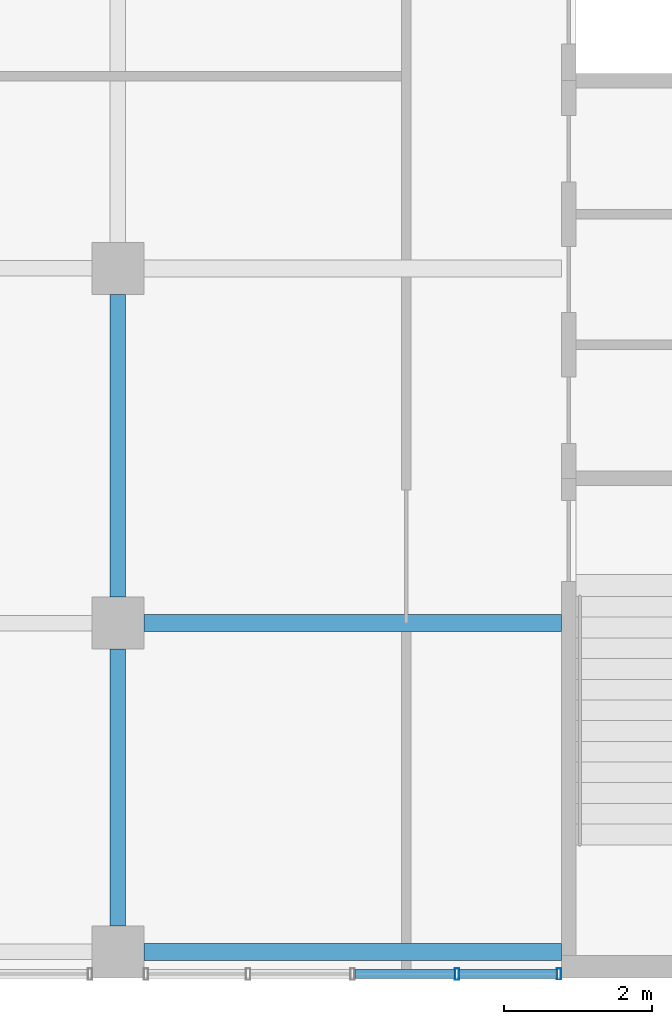
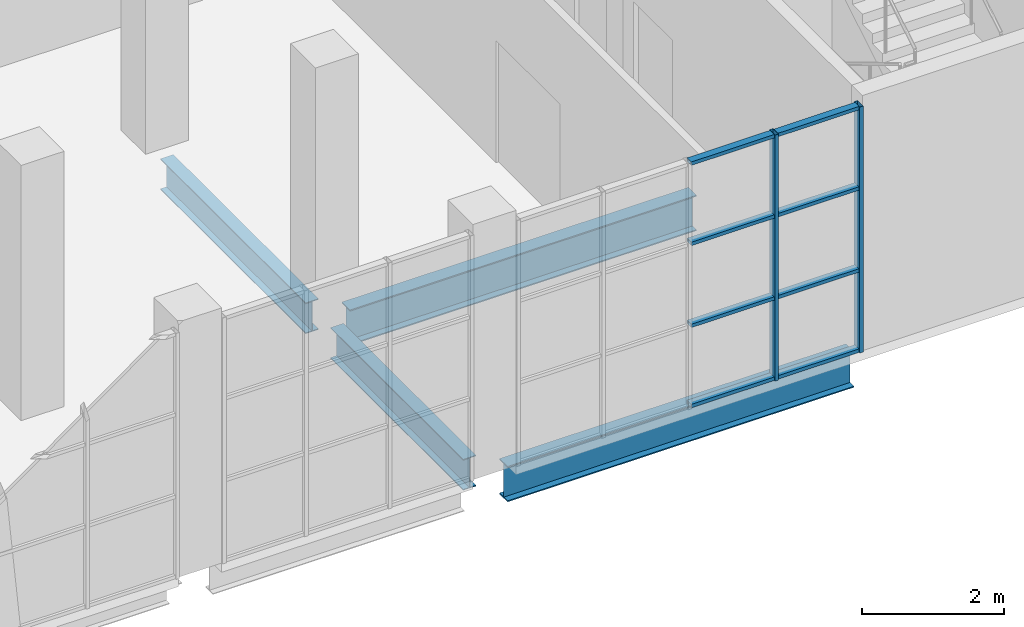
# One storey, part 4 of 30: 10 members, 4 beams, 1 element without a shape of its own.
"""IFC4 building model written with IfcOpenShell, lengths in metres."""

from ifc_helpers import new_model, si_unit, direction, frame, origin, origin_2d, place, context, subcontext, project, spatial, hollow_rectangle, i_section, extrude, material, layer, layer_set, material_profile, profile_set, type_object, element, aggregate, save


model = new_model("IFC4")

# Units and contexts
model_context = context("Model", 3, precision=1e-05, world=origin(), true_north=direction((0.0, 1.0)))
body_context = subcontext(model_context, "Body", "Model", "MODEL_VIEW")
ifc_project = project(units=[si_unit("LENGTHUNIT", "METRE"), si_unit("AREAUNIT", "SQUARE_METRE"), si_unit("VOLUMEUNIT", "CUBIC_METRE"), si_unit("PLANEANGLEUNIT", "RADIAN"), si_unit("MASSUNIT", "GRAM", prefix="KILO")], contexts=[model_context])

# Site, building, storey
site_placement = place(None, origin())
site = spatial("IfcSite", under=ifc_project, at=site_placement, CompositionType="ELEMENT")
building_placement = place(site_placement, origin())
building = spatial("IfcBuilding", under=site, at=building_placement, Name="Baori Bourse Tower", CompositionType="ELEMENT")
storey_placement = place(building_placement, frame((0.0, 0.0, 17.0)))
storey = spatial("IfcBuildingStorey", under=building, at=storey_placement, Name="L02", CompositionType="ELEMENT", Elevation=17.0)

# Beams
ifc_material_1 = material(Name="Steel A992 Gr 50", Category="steel")
ifc_material_profile_1 = material_profile(ifc_material_1, i_section(OverallWidth=0.209228515625, OverallDepth=0.533447265625, WebThickness=0.01025390625, FlangeThickness=0.015625, at=origin_2d()), Name="W21x62")
ifc_profile_set_1 = profile_set([ifc_material_profile_1], Name="Steel A992 Gr 50")
beam_type_1 = type_object("IfcBeamType", Name="Wing beam W21x62", PredefinedType="BEAM", material=ifc_profile_set_1)
beam_1_placement = place(storey_placement, frame((-9.60009765625, -24.5, -0.4267578125), z_axis=(0.0, 1.0, 0.0), x_axis=(-1.0, 0.0, 0.0)))
element("IfcBeam", 1, at=beam_1_placement, inside=storey, type_object=beam_type_1, Name="wing/L02/Wbeamy/006", PredefinedType="BEAM", context=body_context, shape_type="SweptSolid", body=[
    extrude(i_section(OverallWidth=0.209228515625, OverallDepth=0.533447265625, WebThickness=0.01025390625, FlangeThickness=0.015625, at=origin_2d()), origin(), (0.0, 0.0, 1.0), 3.75),
])
beam_2_placement = place(storey_placement, frame((-9.60009765625, -20.050048828125, -0.4267578125), z_axis=(0.0, 1.0, 0.0), x_axis=(-1.0, 0.0, 0.0)))
element("IfcBeam", 2, at=beam_2_placement, inside=storey, type_object=beam_type_1, Name="wing/L02/Wbeamy/007", PredefinedType="BEAM", context=body_context, shape_type="SweptSolid", body=[
    extrude(i_section(OverallWidth=0.209228515625, OverallDepth=0.533447265625, WebThickness=0.01025390625, FlangeThickness=0.015625, at=origin_2d()), origin(), (0.0, 0.0, 1.0), 4.10009765625),
])
ifc_material_2 = material(Name="Steel A992 Gr 50", Category="steel")
ifc_material_profile_2 = material_profile(ifc_material_2, i_section(OverallWidth=0.22900390625, OverallDepth=0.612060546875, WebThickness=0.011962890625, FlangeThickness=0.01953125, at=origin_2d()), Name="W24x84")
ifc_profile_set_2 = profile_set([ifc_material_profile_2], Name="Steel A992 Gr 50")
beam_type_2 = type_object("IfcBeamType", Name="Wing beam W24x84", PredefinedType="BEAM", material=ifc_profile_set_2)
for number, where, z_axis, x_axis, name in (
    (3, (-9.25, -24.85009765625, -0.466064453125), (1.0, 0.0, 0.0), (0.0, 1.0, 0.0), "wing/L02/Wbeam/003"),
    (4, (-9.25, -20.39990234375, -0.466064453125), (1.0, 0.0, 0.0), (0.0, 1.0, 0.0), "wing/L02/Wbeam/006"),
):
    element("IfcBeam", number, at=place(storey_placement, frame(where, z_axis=z_axis, x_axis=x_axis)), inside=storey, type_object=beam_type_2, Name=name, PredefinedType="BEAM", context=body_context, shape_type="SweptSolid", body=[
        extrude(i_section(OverallWidth=0.22900390625, OverallDepth=0.612060546875, WebThickness=0.011962890625, FlangeThickness=0.01953125, at=origin_2d()), origin(), (0.0, 0.0, 1.0), 5.64990234375),
    ])

# Curtain wall, members
ifc_material_3 = material(Name="Pale anodised aluminium", Category="aluminium")
ifc_layer = layer(ifc_material_3, 0.10009765625)
ifc_layer_set = layer_set([ifc_layer], Name="Wing curtain wall")
curtain_wall_type = type_object("IfcCurtainWallType", Name="Wing curtain wall", PredefinedType="NOTDEFINED", material=ifc_layer_set)
curtain_wall_placement = place(storey_placement, origin())
curtain_wall = element("IfcCurtainWall", 5, at=curtain_wall_placement, inside=storey, type_object=curtain_wall_type, Name="wing/L02/Wcw/003", PredefinedType="NOTDEFINED")
ifc_material_4 = material(Name="Pale anodised aluminium", Category="aluminium")
ifc_material_profile_3 = material_profile(ifc_material_4, hollow_rectangle(XDim=0.159912109375, YDim=0.06005859375, WallThickness=0.0048828125, at=origin_2d()), Name="Mullion 160x60x5")
ifc_profile_set_3 = profile_set([ifc_material_profile_3], Name="Pale anodised aluminium")
member_type_1 = type_object("IfcMemberType", Name="Wing mullion 60x160", PredefinedType="MULLION", material=ifc_profile_set_3)
member_1_placement = place(storey_placement, frame((-5.012451171875, -25.14990234375, 0.0), z_axis=(0.0, 0.0, 1.0), x_axis=(0.0, 1.0, 0.0)))
member_1 = element("IfcMember", 6, at=member_1_placement, type_object=member_type_1, Name="X12 mullion 4", PredefinedType="MULLION", context=body_context, shape_type="SweptSolid", body=[
    extrude(hollow_rectangle(XDim=0.159912109375, YDim=0.06005859375, WallThickness=0.0048828125, at=origin_2d()), origin(), (0.0, 0.0, 1.0), 4.239990234375),
])
member_2_placement = place(storey_placement, frame((-3.6298828125, -25.14990234375, 0.0), z_axis=(0.0, 0.0, 1.0), x_axis=(0.0, 1.0, 0.0)))
member_2 = element("IfcMember", 7, at=member_2_placement, type_object=member_type_1, Name="X12 mullion 5", PredefinedType="MULLION", context=body_context, shape_type="SweptSolid", body=[
    extrude(hollow_rectangle(XDim=0.159912109375, YDim=0.06005859375, WallThickness=0.0048828125, at=origin_2d()), origin(), (0.0, 0.0, 1.0), 4.239990234375),
])
ifc_material_5 = material(Name="Pale anodised aluminium", Category="aluminium")
ifc_material_profile_4 = material_profile(ifc_material_5, hollow_rectangle(XDim=0.1201171875, YDim=0.06005859375, WallThickness=0.0048828125, at=origin_2d()), Name="Transom 120x60x5")
ifc_profile_set_4 = profile_set([ifc_material_profile_4], Name="Pale anodised aluminium")
member_type_2 = type_object("IfcMemberType", Name="Wing transom 120x60", PredefinedType="USERDEFINED", material=ifc_profile_set_4)
member_3_placement = place(storey_placement, frame((-6.39501953125, -25.14990234375, 0.030029296875), z_axis=(1.0, 0.0, 0.0), x_axis=(0.0, 1.0, 0.0)))
member_3 = element("IfcMember", 8, at=member_3_placement, type_object=member_type_2, Name="X12 transom 3.1", ObjectType="TRANSOM", PredefinedType="USERDEFINED", context=body_context, shape_type="SweptSolid", body=[
    extrude(hollow_rectangle(XDim=0.1201171875, YDim=0.06005859375, WallThickness=0.0048828125, at=origin_2d()), origin(), (0.0, 0.0, 1.0), 1.3525390625),
])
member_4_placement = place(storey_placement, frame((-6.39501953125, -25.14990234375, 1.413330078125), z_axis=(1.0, 0.0, 0.0), x_axis=(0.0, 1.0, 0.0)))
member_4 = element("IfcMember", 9, at=member_4_placement, type_object=member_type_2, Name="X12 transom 3.2", ObjectType="TRANSOM", PredefinedType="USERDEFINED", context=body_context, shape_type="SweptSolid", body=[
    extrude(hollow_rectangle(XDim=0.1201171875, YDim=0.06005859375, WallThickness=0.0048828125, at=origin_2d()), origin(), (0.0, 0.0, 1.0), 1.3525390625),
])
member_5_placement = place(storey_placement, frame((-6.39501953125, -25.14990234375, 2.82666015625), z_axis=(1.0, 0.0, 0.0), x_axis=(0.0, 1.0, 0.0)))
member_5 = element("IfcMember", 10, at=member_5_placement, type_object=member_type_2, Name="X12 transom 3.3", ObjectType="TRANSOM", PredefinedType="USERDEFINED", context=body_context, shape_type="SweptSolid", body=[
    extrude(hollow_rectangle(XDim=0.1201171875, YDim=0.06005859375, WallThickness=0.0048828125, at=origin_2d()), origin(), (0.0, 0.0, 1.0), 1.3525390625),
])
member_6_placement = place(storey_placement, frame((-6.39501953125, -25.14990234375, 4.2099609375), z_axis=(1.0, 0.0, 0.0), x_axis=(0.0, 1.0, 0.0)))
member_6 = element("IfcMember", 11, at=member_6_placement, type_object=member_type_2, Name="X12 transom 3.4", ObjectType="TRANSOM", PredefinedType="USERDEFINED", context=body_context, shape_type="SweptSolid", body=[
    extrude(hollow_rectangle(XDim=0.1201171875, YDim=0.06005859375, WallThickness=0.0048828125, at=origin_2d()), origin(), (0.0, 0.0, 1.0), 1.3525390625),
])
member_7_placement = place(storey_placement, frame((-4.982421875, -25.14990234375, 0.030029296875), z_axis=(1.0, 0.0, 0.0), x_axis=(0.0, 1.0, 0.0)))
member_7 = element("IfcMember", 12, at=member_7_placement, type_object=member_type_2, Name="X12 transom 4.1", ObjectType="TRANSOM", PredefinedType="USERDEFINED", context=body_context, shape_type="SweptSolid", body=[
    extrude(hollow_rectangle(XDim=0.1201171875, YDim=0.06005859375, WallThickness=0.0048828125, at=origin_2d()), origin(), (0.0, 0.0, 1.0), 1.322509765625),
])
member_8_placement = place(storey_placement, frame((-4.982421875, -25.14990234375, 1.413330078125), z_axis=(1.0, 0.0, 0.0), x_axis=(0.0, 1.0, 0.0)))
member_8 = element("IfcMember", 13, at=member_8_placement, type_object=member_type_2, Name="X12 transom 4.2", ObjectType="TRANSOM", PredefinedType="USERDEFINED", context=body_context, shape_type="SweptSolid", body=[
    extrude(hollow_rectangle(XDim=0.1201171875, YDim=0.06005859375, WallThickness=0.0048828125, at=origin_2d()), origin(), (0.0, 0.0, 1.0), 1.322509765625),
])
member_9_placement = place(storey_placement, frame((-4.982421875, -25.14990234375, 2.82666015625), z_axis=(1.0, 0.0, 0.0), x_axis=(0.0, 1.0, 0.0)))
member_9 = element("IfcMember", 14, at=member_9_placement, type_object=member_type_2, Name="X12 transom 4.3", ObjectType="TRANSOM", PredefinedType="USERDEFINED", context=body_context, shape_type="SweptSolid", body=[
    extrude(hollow_rectangle(XDim=0.1201171875, YDim=0.06005859375, WallThickness=0.0048828125, at=origin_2d()), origin(), (0.0, 0.0, 1.0), 1.322509765625),
])
member_10_placement = place(storey_placement, frame((-4.982421875, -25.14990234375, 4.2099609375), z_axis=(1.0, 0.0, 0.0), x_axis=(0.0, 1.0, 0.0)))
member_10 = element("IfcMember", 15, at=member_10_placement, type_object=member_type_2, Name="X12 transom 4.4", ObjectType="TRANSOM", PredefinedType="USERDEFINED", context=body_context, shape_type="SweptSolid", body=[
    extrude(hollow_rectangle(XDim=0.1201171875, YDim=0.06005859375, WallThickness=0.0048828125, at=origin_2d()), origin(), (0.0, 0.0, 1.0), 1.322509765625),
])
aggregate(curtain_wall, [member_1, member_2, member_3, member_4, member_5, member_6, member_7, member_8, member_9, member_10])

save(model, "model.ifc")
